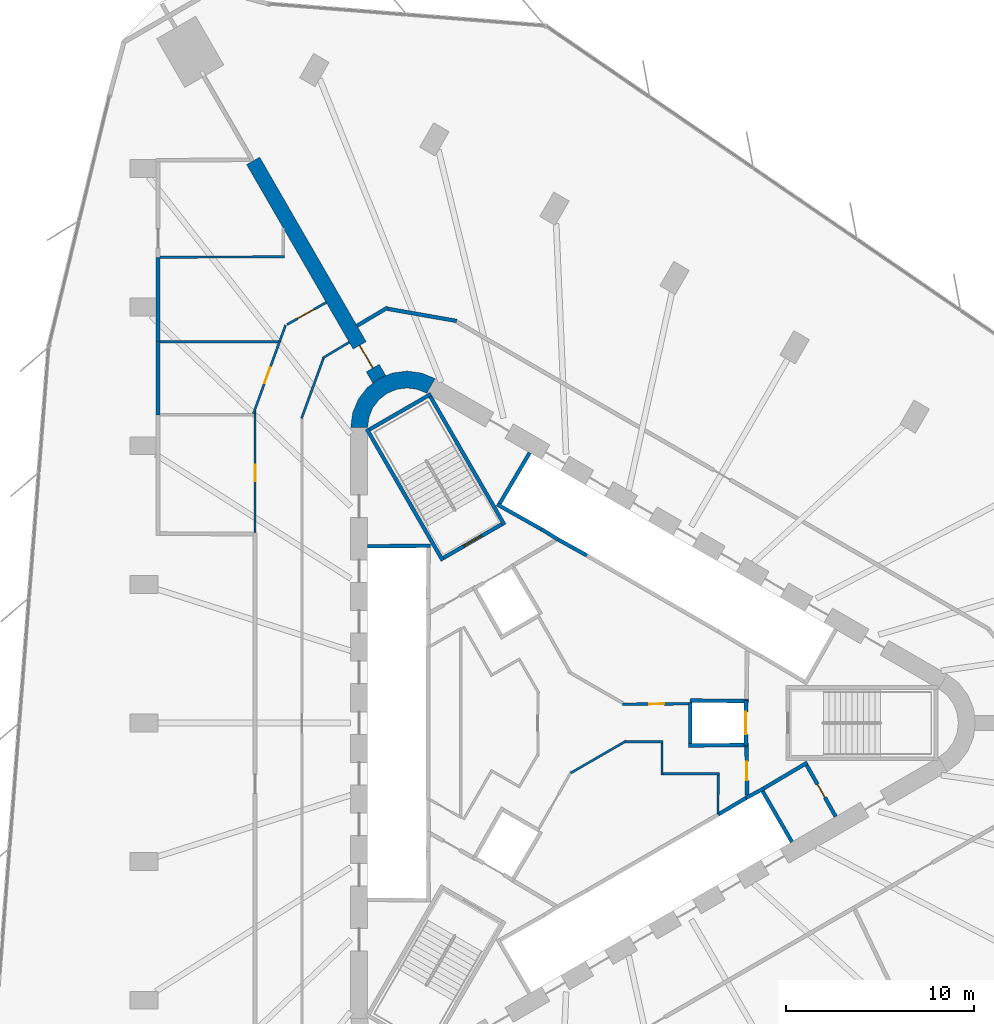
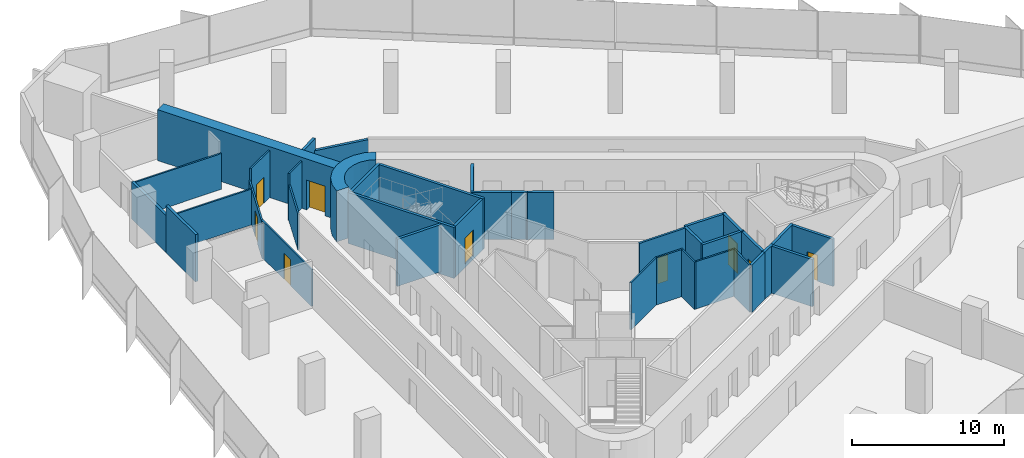
# One storey, part 11 of 14: 39 walls, 9 doors, 9 openings.
"""IFC4 building model written with IfcOpenShell, lengths in metres."""

from ifc_helpers import new_model, si_unit, direction, frame, frame_2d, origin, place, context, subcontext, project, spatial, polyline, rectangle, outline, extrude, material, layer, layer_set, type_object, element, fill, save


model = new_model("IFC4")

# Units and contexts
model_context = context("Model", 3, precision=1e-05, world=origin(), true_north=direction((0.0, 1.0)))
body_context = subcontext(model_context, "Body", "Model", "MODEL_VIEW")
ifc_project = project(units=[si_unit("LENGTHUNIT", "METRE"), si_unit("AREAUNIT", "SQUARE_METRE"), si_unit("VOLUMEUNIT", "CUBIC_METRE"), si_unit("PLANEANGLEUNIT", "RADIAN"), si_unit("MASSUNIT", "GRAM", prefix="KILO")], contexts=[model_context])

# Site, building, storey
site_placement = place(None, origin())
site = spatial("IfcSite", under=ifc_project, at=site_placement, CompositionType="ELEMENT")
building_placement = place(site_placement, origin())
building = spatial("IfcBuilding", under=site, at=building_placement, Name="Tanit Gate Tower", CompositionType="ELEMENT")
storey_placement = place(building_placement, frame((0.0, 0.0, 82.39990234375)))
storey = spatial("IfcBuildingStorey", under=building, at=storey_placement, Name="L16", CompositionType="ELEMENT", Elevation=82.39990234375)

# Wall, opening, door
ifc_material_1 = material(Name="Concrete C60/75", Category="concrete")
ifc_layer_1 = layer(ifc_material_1, 0.800048828125)
ifc_layer_set_1 = layer_set([ifc_layer_1], Name="BUTTRESS FIN 800 C60/75")
wall_type_1 = type_object("IfcWallType", Name="BUTTRESS FIN 800 C60/75", PredefinedType="SHEAR", material=ifc_layer_set_1)
wall_1_placement = place(storey_placement, frame((-10.574951171875, 18.31640625, 0.0), z_axis=(0.0, 0.0, 1.0), x_axis=(-0.499995223427, 0.866028161523, 0.0)))
wall_1 = element("IfcWall", 1, at=wall_1_placement, inside=storey, type_object=wall_type_1, Name="BUTTRESS FIN", PredefinedType="SHEAR", context=body_context, shape_type="SweptSolid", body=[
    extrude(rectangle(XDim=13.455322265625, YDim=0.800048828125, at=frame_2d((6.7275390625, 0.0))), origin(), (0.0, 0.0, 1.0), 4.10009765625),
])
opening_1_placement = place(wall_1_placement, frame((0.699951171875, 0.0, 0.0)))
opening_1 = element("IfcOpeningElement", 2, at=opening_1_placement, cuts=wall_1, Name="Opening P14-S03-F-NW-1", PredefinedType="OPENING", context=body_context, shape_type="SweptSolid", body=[
    extrude(rectangle(XDim=1.39990234375, YDim=2.39990234375, at=frame_2d((0.699951171875, 1.199951171875))), frame((0.0, 0.41015625, 0.0), z_axis=(0.0, -1.0, 0.0), x_axis=(1.0, 0.0, 0.0)), (0.0, 0.0, 1.0), 0.820068359375),
])
ifc_material_2 = material(Name="Timber door leaf", Category="wood")
door_type_1 = type_object("IfcDoorType", Name="INT-DOOR-FIN-PAIR-1400", OperationType="NOTDEFINED", PredefinedType="NOTDEFINED", material=ifc_material_2)
door_1_placement = place(opening_1_placement, origin())
door_1 = element("IfcDoor", 3, at=door_1_placement, inside=storey, type_object=door_type_1, Name="Door P14-S03-F-NW-1", OperationType="DOUBLE_DOOR_SINGLE_SWING", OverallHeight=2.39990234375, OverallWidth=1.39990234375, PredefinedType="NOTDEFINED", context=body_context, shape_type="SweptSolid", body=[
    extrude(rectangle(XDim=1.39990234375, YDim=2.39990234375, at=frame_2d((0.699951171875, 1.199951171875))), frame((0.0, 0.02490234375, 0.0), z_axis=(0.0, -1.0, 0.0), x_axis=(1.0, 0.0, 0.0)), (0.0, 0.0, 1.0), 0.050048828125),
])
fill(opening_1, door_1)

# Walls
ifc_material_3 = material(Name="Concrete C60/75", Category="concrete")
ifc_layer_2 = layer(ifc_material_3, 0.89990234375)
ifc_layer_set_2 = layer_set([ifc_layer_2], Name="CORE WALL 900 C60/75")
wall_type_2 = type_object("IfcWallType", Name="CORE WALL 900 C60/75", PredefinedType="SHEAR", material=ifc_layer_set_2)
wall_2_placement = place(storey_placement, origin())
element("IfcWall", 4, at=wall_2_placement, inside=storey, type_object=wall_type_2, Name="CORE WALL CORNER", PredefinedType="SHEAR", context=body_context, shape_type="SweptSolid", body=[
    extrude(outline(polyline([(-7.60009765625, 18.359619140625), (-8.323486328125, 18.659423828125), (-9.10009765625, 18.76171875), (-9.87646484375, 18.659423828125), (-10.60009765625, 18.359619140625), (-11.22119140625, 17.883056640625), (-11.697998046875, 17.26171875), (-11.997802734375, 16.5380859375), (-12.10009765625, 15.76171875), (-11.199951171875, 15.76171875), (-11.12841796875, 16.30517578125), (-10.918701171875, 16.811767578125), (-10.5849609375, 17.24658203125), (-10.14990234375, 17.580322265625), (-9.6435546875, 17.7900390625), (-9.10009765625, 17.86181640625), (-8.556396484375, 17.7900390625), (-8.050048828125, 17.580322265625), (-7.60009765625, 18.359619140625)])), origin(), (0.0, 0.0, 1.0), 4.10009765625),
])
ifc_material_4 = material(Name="Fire-rated gypsum board partition")
ifc_layer_3 = layer(ifc_material_4, 0.199951171875)
ifc_layer_set_3 = layer_set([ifc_layer_3], Name="INT-WALL-COMPARTMENT")
wall_type_3 = type_object("IfcWallType", Name="INT-WALL-COMPARTMENT", PredefinedType="PARTITIONING", material=ifc_layer_set_3)
wall_3_placement = place(storey_placement, frame((12.244873046875, -2.10888671875, 0.0), z_axis=(0.0, 0.0, 1.0), x_axis=(-0.860414880418, -0.509594185166, 0.0)))
element("IfcWall", 5, at=wall_3_placement, inside=storey, type_object=wall_type_3, Name="Wall Compartment W057", PredefinedType="PARTITIONING", context=body_context, shape_type="SweptSolid", body=[
    extrude(rectangle(XDim=2.7001953125, YDim=0.199951171875, at=frame_2d((1.35009765625, 0.0))), origin(), (0.0, 0.0, 1.0), 3.800048828125),
])

# Wall, opening, door
wall_4_placement = place(storey_placement, frame((13.758056640625, -4.989501953125, 0.0), z_axis=(0.0, 0.0, 1.0), x_axis=(-0.491993409184, 0.87059892334, 0.0)))
wall_4 = element("IfcWall", 6, at=wall_4_placement, inside=storey, type_object=wall_type_3, Name="Wall Compartment W058", PredefinedType="PARTITIONING", context=body_context, shape_type="SweptSolid", body=[
    extrude(rectangle(XDim=3.150146484375, YDim=0.199951171875, at=frame_2d((1.5751953125, 0.0))), origin(), (0.0, 0.0, 1.0), 3.800048828125),
])
opening_2_placement = place(wall_4_placement, frame((1.175048828125, 0.0, 0.0)))
opening_2 = element("IfcOpeningElement", 7, at=opening_2_placement, cuts=wall_4, Name="Opening R08-S03-14", PredefinedType="OPENING", context=body_context, shape_type="SweptSolid", body=[
    extrude(rectangle(XDim=0.800048828125, YDim=2.10009765625, at=frame_2d((0.39990234375, 1.050048828125))), frame((0.0, 0.10986328125, 0.0), z_axis=(0.0, -1.0, 0.0), x_axis=(1.0, 0.0, 0.0)), (0.0, 0.0, 1.0), 0.219970703125),
])
ifc_material_5 = material(Name="Timber door leaf", Category="wood")
door_type_2 = type_object("IfcDoorType", Name="INT-DOOR-RISER-800", OperationType="NOTDEFINED", PredefinedType="USERDEFINED", material=ifc_material_5)
door_2_placement = place(opening_2_placement, origin())
door_2 = element("IfcDoor", 8, at=door_2_placement, inside=storey, type_object=door_type_2, Name="Door R08-S03-14", ObjectType="FIRE DOOR", OperationType="SINGLE_SWING_RIGHT", OverallHeight=2.10009765625, OverallWidth=0.800048828125, PredefinedType="USERDEFINED", context=body_context, shape_type="SweptSolid", body=[
    extrude(rectangle(XDim=0.800048828125, YDim=2.10009765625, at=frame_2d((0.39990234375, 1.050048828125))), frame((0.0, 0.02490234375, 0.0), z_axis=(0.0, -1.0, 0.0), x_axis=(1.0, 0.0, 0.0)), (0.0, 0.0, 1.0), 0.050048828125),
])
fill(opening_2, door_2)

wall_5_placement = place(storey_placement, frame((9.02880859375, -3.850830078125, 0.0), z_axis=(0.0, 0.0, 1.0), x_axis=(-0.010783593937, 0.99994185536, 0.0)))
wall_5 = element("IfcWall", 9, at=wall_5_placement, inside=storey, type_object=wall_type_3, Name="Wall Compartment W060", PredefinedType="PARTITIONING", context=body_context, shape_type="SweptSolid", body=[
    extrude(rectangle(XDim=2.5810546875, YDim=0.199951171875, at=frame_2d((1.29052734375, 0.0))), origin(), (0.0, 0.0, 1.0), 3.800048828125),
])
opening_3_placement = place(wall_5_placement, frame((0.79052734375, 0.0, 0.0)))
opening_3 = element("IfcOpeningElement", 10, at=opening_3_placement, cuts=wall_5, Name="Opening F10-S03-02", PredefinedType="OPENING", context=body_context, shape_type="SweptSolid", body=[
    extrude(rectangle(XDim=1.0, YDim=2.10009765625, at=frame_2d((0.5, 1.050048828125))), frame((0.0, 0.10986328125, 0.0), z_axis=(0.0, -1.0, 0.0), x_axis=(1.0, 0.0, 0.0)), (0.0, 0.0, 1.0), 0.219970703125),
])
ifc_material_6 = material(Name="Fire-rated steel door leaf", Category="steel")
door_type_3 = type_object("IfcDoorType", Name="INT-DOOR-FIRE-1000", OperationType="NOTDEFINED", PredefinedType="USERDEFINED", material=ifc_material_6)
door_3_placement = place(opening_3_placement, origin())
door_3 = element("IfcDoor", 11, at=door_3_placement, inside=storey, type_object=door_type_3, Name="Door F10-S03-02", ObjectType="FIRE DOOR", OperationType="SINGLE_SWING_LEFT", OverallHeight=2.10009765625, OverallWidth=1.0, PredefinedType="USERDEFINED", context=body_context, shape_type="SweptSolid", body=[
    extrude(rectangle(XDim=1.0, YDim=2.10009765625, at=frame_2d((0.5, 1.050048828125))), frame((0.0, 0.02490234375, 0.0), z_axis=(0.0, -1.0, 0.0), x_axis=(1.0, 0.0, 0.0)), (0.0, 0.0, 1.0), 0.050048828125),
])
fill(opening_3, door_3)

# Walls
wall_6_placement = place(storey_placement, frame((-10.11767578125, 22.157470703125, 0.0), z_axis=(0.0, 0.0, 1.0), x_axis=(-0.859118225537, -0.511777172752, 0.0)))
element("IfcWall", 12, at=wall_6_placement, inside=storey, type_object=wall_type_3, Name="Wall Compartment W096", PredefinedType="PARTITIONING", context=body_context, shape_type="SweptSolid", body=[
    extrude(rectangle(XDim=1.916748046875, YDim=0.199951171875, at=frame_2d((0.95849609375, 0.0))), origin(), (0.0, 0.0, 1.0), 3.800048828125),
])
wall_7_placement = place(storey_placement, frame((-6.458984375, 21.435546875, 0.0), z_axis=(0.0, 0.0, 1.0), x_axis=(-0.984812903812, 0.173618963498, 0.0)))
element("IfcWall", 13, at=wall_7_placement, inside=storey, type_object=wall_type_3, Name="Wall Compartment W097", PredefinedType="PARTITIONING", context=body_context, shape_type="SweptSolid", body=[
    extrude(rectangle(XDim=3.76708984375, YDim=0.199951171875, at=frame_2d((1.883544921875, 0.0))), origin(), (0.0, 0.0, 1.0), 2.880126953125),
])
wall_8_placement = place(storey_placement, frame((-22.3701171875, 16.431396484375, 0.0), z_axis=(0.0, 0.0, 1.0), x_axis=(0.0, 1.0, 0.0)))
element("IfcWall", 14, at=wall_8_placement, inside=storey, type_object=wall_type_3, Name="Wall Compartment W113", PredefinedType="PARTITIONING", context=body_context, shape_type="SweptSolid", body=[
    extrude(rectangle(XDim=3.89794921875, YDim=0.199951171875, at=frame_2d((1.948974609375, 0.0))), origin(), (0.0, 0.0, 1.0), 3.800048828125),
])
wall_9_placement = place(storey_placement, frame((-22.3701171875, 20.329345703125, 0.0), z_axis=(0.0, 0.0, 1.0), x_axis=(0.0, 1.0, 0.0)))
element("IfcWall", 15, at=wall_9_placement, inside=storey, type_object=wall_type_3, Name="Wall Compartment W114", PredefinedType="PARTITIONING", context=body_context, shape_type="SweptSolid", body=[
    extrude(rectangle(XDim=4.499755859375, YDim=0.199951171875, at=frame_2d((2.25, 0.0))), origin(), (0.0, 0.0, 1.0), 2.97998046875),
])
ifc_material_7 = material(Name="Gypsum board partition")
ifc_layer_4 = layer(ifc_material_7, 0.1201171875)
ifc_layer_set_4 = layer_set([ifc_layer_4], Name="INT-WALL-PARTITION")
wall_type_4 = type_object("IfcWallType", Name="INT-WALL-PARTITION", PredefinedType="PARTITIONING", material=ifc_layer_set_4)
wall_10_placement = place(storey_placement, frame((2.6015625, -0.947998046875, 0.0), z_axis=(0.0, 0.0, 1.0), x_axis=(-0.866025804792, -0.499999305434, 0.0)))
element("IfcWall", 16, at=wall_10_placement, inside=storey, type_object=wall_type_4, Name="Wall Partition W069", PredefinedType="PARTITIONING", context=body_context, shape_type="SweptSolid", body=[
    extrude(rectangle(XDim=3.43505859375, YDim=0.1201171875, at=frame_2d((1.717529296875, 0.0))), origin(), (0.0, 0.0, 1.0), 3.800048828125),
])
wall_11_placement = place(storey_placement, frame((4.56005859375, -1.0, 0.0), z_axis=(0.0, 0.0, 1.0), x_axis=(-1.0, 0.0, 0.0)))
element("IfcWall", 17, at=wall_11_placement, inside=storey, type_object=wall_type_4, Name="Wall Partition W070", PredefinedType="PARTITIONING", context=body_context, shape_type="SweptSolid", body=[
    extrude(rectangle(XDim=2.030029296875, YDim=0.1201171875, at=frame_2d((1.01513671875, 0.0))), origin(), (0.0, 0.0, 1.0), 3.800048828125),
])
wall_12_placement = place(storey_placement, frame((4.5, -2.760009765625, 0.0), z_axis=(0.0, 0.0, 1.0), x_axis=(0.0, 1.0, 0.0)))
element("IfcWall", 18, at=wall_12_placement, inside=storey, type_object=wall_type_4, Name="Wall Partition W071", PredefinedType="PARTITIONING", context=body_context, shape_type="SweptSolid", body=[
    extrude(rectangle(XDim=1.699951171875, YDim=0.1201171875, at=frame_2d((0.85009765625, 0.0))), origin(), (0.0, 0.0, 1.0), 3.800048828125),
])
wall_13_placement = place(storey_placement, frame((7.56005859375, -2.699951171875, 0.0), z_axis=(0.0, 0.0, 1.0), x_axis=(-1.0, 0.0, 0.0)))
element("IfcWall", 19, at=wall_13_placement, inside=storey, type_object=wall_type_4, Name="Wall Partition W072", PredefinedType="PARTITIONING", context=body_context, shape_type="SweptSolid", body=[
    extrude(rectangle(XDim=3.0, YDim=0.1201171875, at=frame_2d((1.5, 0.0))), origin(), (0.0, 0.0, 1.0), 3.800048828125),
])
wall_14_placement = place(storey_placement, frame((7.474609375, -4.864501953125, 0.0), z_axis=(0.0, 0.0, 1.0), x_axis=(0.011716133148, 0.999931363757, 0.0)))
element("IfcWall", 20, at=wall_14_placement, inside=storey, type_object=wall_type_4, Name="Wall Partition W073", PredefinedType="PARTITIONING", context=body_context, shape_type="SweptSolid", body=[
    extrude(rectangle(XDim=2.104736328125, YDim=0.1201171875, at=frame_2d((1.05224609375, 0.0))), origin(), (0.0, 0.0, 1.0), 3.800048828125),
])
wall_15_placement = place(storey_placement, frame((-12.181396484375, 20.299072265625, 0.0), z_axis=(0.0, 0.0, 1.0), x_axis=(-0.8583241935, -0.51310776534, 0.0)))
element("IfcWall", 21, at=wall_15_placement, inside=storey, type_object=wall_type_4, Name="Wall Partition W084", PredefinedType="PARTITIONING", context=body_context, shape_type="SweptSolid", body=[
    extrude(rectangle(XDim=1.65625, YDim=0.1201171875, at=frame_2d((0.828125, 0.0))), origin(), (0.0, 0.0, 1.0), 3.800048828125),
])
wall_16_placement = place(storey_placement, frame((-13.54931640625, 19.461181640625, 0.0), z_axis=(0.0, 0.0, 1.0), x_axis=(-0.341989191955, -0.939703885586, 0.0)))
element("IfcWall", 22, at=wall_16_placement, inside=storey, type_object=wall_type_4, Name="Wall Partition W085", PredefinedType="PARTITIONING", context=body_context, shape_type="SweptSolid", body=[
    extrude(rectangle(XDim=3.424560546875, YDim=0.1201171875, at=frame_2d((1.71240234375, 0.0))), origin(), (0.0, 0.0, 1.0), 2.880126953125),
])

# Wall, opening, door
wall_17_placement = place(storey_placement, frame((-17.199951171875, 16.740234375, 0.0), z_axis=(0.0, 0.0, 1.0), x_axis=(0.0, -1.0, 0.0)))
wall_17 = element("IfcWall", 23, at=wall_17_placement, inside=storey, type_object=wall_type_4, Name="Wall Partition W092", PredefinedType="PARTITIONING", context=body_context, shape_type="SweptSolid", body=[
    extrude(rectangle(XDim=6.5703125, YDim=0.1201171875, at=frame_2d((3.28515625, 0.0))), origin(), (0.0, 0.0, 1.0), 2.97998046875),
])
opening_4_placement = place(wall_17_placement, frame((2.959716796875, 0.0, 0.0)))
opening_4 = element("IfcOpeningElement", 24, at=opening_4_placement, cuts=wall_17, Name="Opening D09-S03-16", PredefinedType="OPENING", context=body_context, shape_type="SweptSolid", body=[
    extrude(rectangle(XDim=0.89990234375, YDim=2.10009765625, at=frame_2d((0.449951171875, 1.050048828125))), frame((0.0, 0.070068359375, 0.0), z_axis=(0.0, -1.0, 0.0), x_axis=(1.0, 0.0, 0.0)), (0.0, 0.0, 1.0), 0.14013671875),
])
ifc_material_8 = material(Name="Timber door leaf", Category="wood")
door_type_4 = type_object("IfcDoorType", Name="INT-DOOR-SINGLE-900", OperationType="NOTDEFINED", PredefinedType="NOTDEFINED", material=ifc_material_8)
door_4_placement = place(opening_4_placement, origin())
door_4 = element("IfcDoor", 25, at=door_4_placement, inside=storey, type_object=door_type_4, Name="Door D09-S03-16", OperationType="SINGLE_SWING_RIGHT", OverallHeight=2.10009765625, OverallWidth=0.89990234375, PredefinedType="NOTDEFINED", context=body_context, shape_type="SweptSolid", body=[
    extrude(rectangle(XDim=0.89990234375, YDim=2.10009765625, at=frame_2d((0.449951171875, 1.050048828125))), frame((0.0, 0.02490234375, 0.0), z_axis=(0.0, -1.0, 0.0), x_axis=(1.0, 0.0, 0.0)), (0.0, 0.0, 1.0), 0.050048828125),
])
fill(opening_4, door_4)

# Wall
wall_18_placement = place(storey_placement, frame((-15.5703125, 21.218017578125, 0.0), z_axis=(0.0, 0.0, 1.0), x_axis=(-0.342015355476, -0.939694363407, 0.0)))
element("IfcWall", 26, at=wall_18_placement, inside=storey, type_object=wall_type_4, Name="Wall Partition W094", PredefinedType="PARTITIONING", context=body_context, shape_type="SweptSolid", body=[
    extrude(rectangle(XDim=0.935791015625, YDim=0.1201171875, at=frame_2d((0.4677734375, 0.0))), origin(), (0.0, 0.0, 1.0), 2.880126953125),
])

# Wall, opening, door
wall_19_placement = place(storey_placement, frame((-15.890380859375, 20.338623046875, 0.0), z_axis=(0.0, 0.0, 1.0), x_axis=(-0.341977654868, -0.939708084232, 0.0)))
wall_19 = element("IfcWall", 27, at=wall_19_placement, inside=storey, type_object=wall_type_4, Name="Wall Partition W093", PredefinedType="PARTITIONING", context=body_context, shape_type="SweptSolid", body=[
    extrude(rectangle(XDim=4.09423828125, YDim=0.1201171875, at=frame_2d((2.047119140625, 0.0))), origin(), (0.0, 0.0, 1.0), 2.880126953125),
])
opening_5_placement = place(wall_19_placement, frame((1.464599609375, 0.0, 0.0)))
opening_5 = element("IfcOpeningElement", 28, at=opening_5_placement, cuts=wall_19, Name="Opening D09-S03-17", PredefinedType="OPENING", context=body_context, shape_type="SweptSolid", body=[
    extrude(rectangle(XDim=0.89990234375, YDim=2.10009765625, at=frame_2d((0.449951171875, 1.050048828125))), frame((0.0, 0.070068359375, 0.0), z_axis=(0.0, -1.0, 0.0), x_axis=(1.0, 0.0, 0.0)), (0.0, 0.0, 1.0), 0.14013671875),
])
door_5_placement = place(opening_5_placement, origin())
door_5 = element("IfcDoor", 29, at=door_5_placement, inside=storey, type_object=door_type_4, Name="Door D09-S03-17", OperationType="SINGLE_SWING_LEFT", OverallHeight=2.10009765625, OverallWidth=0.89990234375, PredefinedType="NOTDEFINED", context=body_context, shape_type="SweptSolid", body=[
    extrude(rectangle(XDim=0.89990234375, YDim=2.10009765625, at=frame_2d((0.449951171875, 1.050048828125))), frame((0.0, 0.02490234375, 0.0), z_axis=(0.0, -1.0, 0.0), x_axis=(1.0, 0.0, 0.0)), (0.0, 0.0, 1.0), 0.050048828125),
])
fill(opening_5, door_5)

wall_20_placement = place(storey_placement, frame((-13.406494140625, 22.4208984375, 0.0), z_axis=(0.0, 0.0, 1.0), x_axis=(-0.87117593963, -0.490970958622, 0.0)))
wall_20 = element("IfcWall", 30, at=wall_20_placement, inside=storey, type_object=wall_type_4, Name="Wall Partition W095", PredefinedType="PARTITIONING", context=body_context, shape_type="SweptSolid", body=[
    extrude(rectangle(XDim=2.400390625, YDim=0.1201171875, at=frame_2d((1.2001953125, 0.0))), origin(), (0.0, 0.0, 1.0), 3.800048828125),
])
opening_6_placement = place(wall_20_placement, frame((0.75, 0.0, 0.0)))
opening_6 = element("IfcOpeningElement", 31, at=opening_6_placement, cuts=wall_20, Name="Opening D10-S03-18", PredefinedType="OPENING", context=body_context, shape_type="SweptSolid", body=[
    extrude(rectangle(XDim=1.0, YDim=2.10009765625, at=frame_2d((0.5, 1.050048828125))), frame((0.0, 0.070068359375, 0.0), z_axis=(0.0, -1.0, 0.0), x_axis=(1.0, 0.0, 0.0)), (0.0, 0.0, 1.0), 0.14013671875),
])
ifc_material_9 = material(Name="Timber door leaf", Category="wood")
door_type_5 = type_object("IfcDoorType", Name="INT-DOOR-SINGLE-1000", OperationType="NOTDEFINED", PredefinedType="NOTDEFINED", material=ifc_material_9)
door_6_placement = place(opening_6_placement, origin())
door_6 = element("IfcDoor", 32, at=door_6_placement, inside=storey, type_object=door_type_5, Name="Door D10-S03-18", OperationType="SINGLE_SWING_LEFT", OverallHeight=2.10009765625, OverallWidth=1.0, PredefinedType="NOTDEFINED", context=body_context, shape_type="SweptSolid", body=[
    extrude(rectangle(XDim=1.0, YDim=2.10009765625, at=frame_2d((0.5, 1.050048828125))), frame((0.0, 0.02490234375, 0.0), z_axis=(0.0, -1.0, 0.0), x_axis=(1.0, 0.0, 0.0)), (0.0, 0.0, 1.0), 0.050048828125),
])
fill(opening_6, door_6)

# Walls
wall_21_placement = place(storey_placement, frame((-22.27001953125, 20.329345703125, 0.0), z_axis=(0.0, 0.0, 1.0), x_axis=(1.0, 0.0, 0.0)))
element("IfcWall", 33, at=wall_21_placement, inside=storey, type_object=wall_type_4, Name="Wall Partition W121", PredefinedType="PARTITIONING", context=body_context, shape_type="SweptSolid", body=[
    extrude(rectangle(XDim=6.3125, YDim=0.1201171875, at=frame_2d((3.15625, 0.0))), origin(), (0.0, 0.0, 1.0), 2.880126953125),
])
wall_22_placement = place(storey_placement, frame((-15.639892578125, 24.859375, 0.0), z_axis=(0.0, 0.0, 1.0), x_axis=(-0.999989909342, -0.004492350736, 0.0)))
element("IfcWall", 34, at=wall_22_placement, inside=storey, type_object=wall_type_4, Name="Wall Partition W122", PredefinedType="PARTITIONING", context=body_context, shape_type="SweptSolid", body=[
    extrude(rectangle(XDim=6.630126953125, YDim=0.1201171875, at=frame_2d((3.31494140625, 0.0))), origin(), (0.0, 0.0, 1.0), 2.880126953125),
])

# Wall, opening, door
ifc_material_10 = material(Name="Fire-rated gypsum board partition")
ifc_layer_5 = layer(ifc_material_10, 0.14990234375)
ifc_layer_set_5 = layer_set([ifc_layer_5], Name="INT-WALL-RISER")
wall_type_5 = type_object("IfcWallType", Name="INT-WALL-RISER", PredefinedType="PLUMBINGWALL", material=ifc_layer_set_5)
wall_23_placement = place(storey_placement, frame((2.384033203125, 0.9990234375, 0.0), z_axis=(0.0, 0.0, 1.0), x_axis=(0.999964703434, 0.008401897723, 0.0)))
wall_23 = element("IfcWall", 35, at=wall_23_placement, inside=storey, type_object=wall_type_5, Name="Wall Riser W065", PredefinedType="PLUMBINGWALL", context=body_context, shape_type="SweptSolid", body=[
    extrude(rectangle(XDim=3.51611328125, YDim=0.14990234375, at=frame_2d((1.758056640625, 0.0))), origin(), (0.0, 0.0, 1.0), 3.800048828125),
])
opening_7_placement = place(wall_23_placement, frame((1.421630859375, 0.0, 0.0)))
opening_7 = element("IfcOpeningElement", 36, at=opening_7_placement, cuts=wall_23, Name="Opening R08-S03-10", PredefinedType="OPENING", context=body_context, shape_type="SweptSolid", body=[
    extrude(rectangle(XDim=0.800048828125, YDim=2.10009765625, at=frame_2d((0.39990234375, 1.050048828125))), frame((0.0, 0.0849609375, 0.0), z_axis=(0.0, -1.0, 0.0), x_axis=(1.0, 0.0, 0.0)), (0.0, 0.0, 1.0), 0.169921875),
])
door_7_placement = place(opening_7_placement, origin())
door_7 = element("IfcDoor", 37, at=door_7_placement, inside=storey, type_object=door_type_2, Name="Door R08-S03-10", ObjectType="FIRE DOOR", OperationType="SINGLE_SWING_RIGHT", OverallHeight=2.10009765625, OverallWidth=0.800048828125, PredefinedType="USERDEFINED", context=body_context, shape_type="SweptSolid", body=[
    extrude(rectangle(XDim=0.800048828125, YDim=2.10009765625, at=frame_2d((0.39990234375, 1.050048828125))), frame((0.0, 0.02490234375, 0.0), z_axis=(0.0, -1.0, 0.0), x_axis=(1.0, 0.0, 0.0)), (0.0, 0.0, 1.0), 0.050048828125),
])
fill(opening_7, door_7)

# Walls
ifc_material_11 = material(Name="Gypsum shaft wall system")
ifc_layer_6 = layer(ifc_material_11, 0.199951171875)
ifc_layer_set_6 = layer_set([ifc_layer_6], Name="INT-WALL-SHAFT")
wall_type_6 = type_object("IfcWallType", Name="INT-WALL-SHAFT", PredefinedType="PLUMBINGWALL", material=ifc_layer_set_6)
wall_24_placement = place(storey_placement, frame((-11.199951171875, 9.419921875, 0.0), z_axis=(0.0, 0.0, 1.0), x_axis=(0.999957167047, 0.009255488683, 0.0)))
element("IfcWall", 38, at=wall_24_placement, inside=storey, type_object=wall_type_6, Name="Wall Shaft W001", PredefinedType="PLUMBINGWALL", context=body_context, shape_type="SweptSolid", body=[
    extrude(rectangle(XDim=3.35009765625, YDim=0.199951171875, at=frame_2d((1.675048828125, 0.0))), origin(), (0.0, 0.0, 1.0), 3.800048828125),
])
wall_25_placement = place(storey_placement, frame((-1.940673828125, 10.338623046875, 0.0), z_axis=(0.0, 0.0, 1.0), x_axis=(0.850216889117, -0.526432561171, 0.0)))
element("IfcWall", 39, at=wall_25_placement, inside=storey, type_object=wall_type_6, Name="Wall Shaft W019", PredefinedType="PLUMBINGWALL", context=body_context, shape_type="SweptSolid", body=[
    extrude(rectangle(XDim=1.078369140625, YDim=0.199951171875, at=frame_2d((0.5390625, 0.0))), origin(), (0.0, 0.0, 1.0), 3.800048828125),
])
wall_26_placement = place(storey_placement, frame((0.482666015625, 8.935791015625, 0.0), z_axis=(0.0, 0.0, 1.0), x_axis=(-0.874269620932, 0.485440655401, 0.0)))
element("IfcWall", 40, at=wall_26_placement, inside=storey, type_object=wall_type_6, Name="Wall Shaft W020", PredefinedType="PLUMBINGWALL", context=body_context, shape_type="SweptSolid", body=[
    extrude(rectangle(XDim=1.8447265625, YDim=0.199951171875, at=frame_2d((0.92236328125, 0.0))), origin(), (0.0, 0.0, 1.0), 3.800048828125),
])
wall_27_placement = place(storey_placement, frame((-4.296142578125, 11.658935546875, 0.0), z_axis=(0.0, 0.0, 1.0), x_axis=(0.871534483978, -0.490334215854, 0.0)))
element("IfcWall", 41, at=wall_27_placement, inside=storey, type_object=wall_type_6, Name="Wall Shaft W021", PredefinedType="PLUMBINGWALL", context=body_context, shape_type="SweptSolid", body=[
    extrude(rectangle(XDim=2.7001953125, YDim=0.199951171875, at=frame_2d((1.35009765625, 0.0))), origin(), (0.0, 0.0, 1.0), 3.800048828125),
])
wall_28_placement = place(storey_placement, frame((-4.158203125, 11.696044921875, 0.0), z_axis=(0.0, 0.0, 1.0), x_axis=(0.508018930956, 0.861345903683, 0.0)))
element("IfcWall", 42, at=wall_28_placement, inside=storey, type_object=wall_type_6, Name="Wall Shaft W022", PredefinedType="PLUMBINGWALL", context=body_context, shape_type="SweptSolid", body=[
    extrude(rectangle(XDim=3.150146484375, YDim=0.199951171875, at=frame_2d((1.5751953125, 0.0))), origin(), (0.0, 0.0, 1.0), 3.800048828125),
])
wall_29_placement = place(storey_placement, frame((9.794677734375, -3.52490234375, 0.0), z_axis=(0.0, 0.0, 1.0), x_axis=(0.499984717929, -0.866034226713, 0.0)))
element("IfcWall", 43, at=wall_29_placement, inside=storey, type_object=wall_type_6, Name="Wall Shaft W024", PredefinedType="PLUMBINGWALL", context=body_context, shape_type="SweptSolid", body=[
    extrude(rectangle(XDim=3.25, YDim=0.199951171875, at=frame_2d((1.625, 0.0))), origin(), (0.0, 0.0, 1.0), 3.800048828125),
])
wall_30_placement = place(storey_placement, frame((8.97412109375, -3.998779296875, 0.0), z_axis=(0.0, 0.0, 1.0), x_axis=(0.880907015104, 0.473289373154, 0.0)))
element("IfcWall", 44, at=wall_30_placement, inside=storey, type_object=wall_type_6, Name="Wall Shaft W025", PredefinedType="PLUMBINGWALL", context=body_context, shape_type="SweptSolid", body=[
    extrude(rectangle(XDim=1.078125, YDim=0.199951171875, at=frame_2d((0.5390625, 0.0))), origin(), (0.0, 0.0, 1.0), 3.800048828125),
])
wall_31_placement = place(storey_placement, frame((7.4931640625, -4.87841796875, 0.0), z_axis=(0.0, 0.0, 1.0), x_axis=(0.859981807212, 0.510324691999, 0.0)))
element("IfcWall", 45, at=wall_31_placement, inside=storey, type_object=wall_type_6, Name="Wall Shaft W026", PredefinedType="PLUMBINGWALL", context=body_context, shape_type="SweptSolid", body=[
    extrude(rectangle(XDim=1.8447265625, YDim=0.199951171875, at=frame_2d((0.92236328125, 0.0))), origin(), (0.0, 0.0, 1.0), 3.800048828125),
])

# Wall, opening, door
wall_32_placement = place(storey_placement, frame((8.969970703125, 1.199951171875, 0.0), z_axis=(0.0, 0.0, 1.0), x_axis=(0.0, -1.0, 0.0)))
wall_32 = element("IfcWall", 46, at=wall_32_placement, inside=storey, type_object=wall_type_6, Name="Wall Shaft W037", PredefinedType="PLUMBINGWALL", context=body_context, shape_type="SweptSolid", body=[
    extrude(rectangle(XDim=2.39990234375, YDim=0.199951171875, at=frame_2d((1.199951171875, 0.0))), origin(), (0.0, 0.0, 1.0), 3.800048828125),
])
opening_8_placement = place(wall_32_placement, frame((0.60009765625, 0.0, 0.0)))
opening_8 = element("IfcOpeningElement", 47, at=opening_8_placement, cuts=wall_32, Name="Opening LDFL1-L16", PredefinedType="OPENING", context=body_context, shape_type="SweptSolid", body=[
    extrude(rectangle(XDim=1.199951171875, YDim=2.39990234375, at=frame_2d((0.60009765625, 1.199951171875))), frame((0.0, 0.10986328125, 0.0), z_axis=(0.0, -1.0, 0.0), x_axis=(1.0, 0.0, 0.0)), (0.0, 0.0, 1.0), 0.219970703125),
])
ifc_material_12 = material(Name="Stainless steel sliding door leaf", Category="steel")
door_type_6 = type_object("IfcDoorType", Name="INT-DOOR-LANDING-1200", OperationType="NOTDEFINED", PredefinedType="USERDEFINED", material=ifc_material_12)
door_8_placement = place(opening_8_placement, origin())
door_8 = element("IfcDoor", 48, at=door_8_placement, inside=storey, type_object=door_type_6, Name="Door LDFL1-L16", ObjectType="LANDING DOOR", OperationType="SLIDING_TO_LEFT", OverallHeight=2.39990234375, OverallWidth=1.199951171875, PredefinedType="USERDEFINED", context=body_context, shape_type="SweptSolid", body=[
    extrude(rectangle(XDim=1.199951171875, YDim=2.39990234375, at=frame_2d((0.60009765625, 1.199951171875))), frame((0.0, 0.02490234375, 0.0), z_axis=(0.0, -1.0, 0.0), x_axis=(1.0, 0.0, 0.0)), (0.0, 0.0, 1.0), 0.050048828125),
])
fill(opening_8, door_8)

# Walls
wall_33_placement = place(storey_placement, frame((6.0, 1.199951171875, 0.0), z_axis=(0.0, 0.0, 1.0), x_axis=(0.999949988, -0.010001074852, 0.0)))
element("IfcWall", 49, at=wall_33_placement, inside=storey, type_object=wall_type_6, Name="Wall Shaft W038", PredefinedType="PLUMBINGWALL", context=body_context, shape_type="SweptSolid", body=[
    extrude(rectangle(XDim=3.100341796875, YDim=0.199951171875, at=frame_2d((1.55029296875, 0.0))), origin(), (0.0, 0.0, 1.0), 3.800048828125),
])
wall_34_placement = place(storey_placement, frame((5.89990234375, -1.200927734375, 0.0), z_axis=(0.0, 0.0, 1.0), x_axis=(0.999950064753, 0.009993397809, 0.0)))
element("IfcWall", 50, at=wall_34_placement, inside=storey, type_object=wall_type_6, Name="Wall Shaft W039", PredefinedType="PLUMBINGWALL", context=body_context, shape_type="SweptSolid", body=[
    extrude(rectangle(XDim=3.200439453125, YDim=0.199951171875, at=frame_2d((1.60009765625, 0.0))), origin(), (0.0, 0.0, 1.0), 3.800048828125),
])
wall_35_placement = place(storey_placement, frame((6.0, -1.10009765625, 0.0), z_axis=(0.0, 0.0, 1.0), x_axis=(0.0, 1.0, 0.0)))
element("IfcWall", 51, at=wall_35_placement, inside=storey, type_object=wall_type_6, Name="Wall Shaft W040", PredefinedType="PLUMBINGWALL", context=body_context, shape_type="SweptSolid", body=[
    extrude(rectangle(XDim=2.20458984375, YDim=0.199951171875, at=frame_2d((1.102294921875, 0.0))), origin(), (0.0, 0.0, 1.0), 3.800048828125),
])
ifc_material_13 = material(Name="Concrete C40/50", Category="concrete")
ifc_layer_7 = layer(ifc_material_13, 0.199951171875)
ifc_layer_set_7 = layer_set([ifc_layer_7], Name="INT-WALL-STAIR")
wall_type_7 = type_object("IfcWallType", Name="INT-WALL-STAIR", PredefinedType="SHEAR", material=ifc_layer_set_7)
wall_36_placement = place(storey_placement, frame((-11.245361328125, 15.677734375, -0.2998046875), z_axis=(0.0, 0.0, 1.0), x_axis=(0.499977274689, -0.866038523851, 0.0)))
element("IfcWall", 52, at=wall_36_placement, inside=storey, type_object=wall_type_7, Name="Wall Stair W041", PredefinedType="SHEAR", context=body_context, shape_type="SweptSolid", body=[
    extrude(rectangle(XDim=8.10009765625, YDim=0.199951171875, at=frame_2d((4.050048828125, 0.0))), origin(), (0.0, 0.0, 1.0), 4.099853515625),
])
wall_37_placement = place(storey_placement, frame((-7.81787109375, 17.541015625, -0.2998046875), z_axis=(0.0, 0.0, 1.0), x_axis=(-0.866044365799, -0.499967155389, 0.0)))
element("IfcWall", 53, at=wall_37_placement, inside=storey, type_object=wall_type_7, Name="Wall Stair W042", PredefinedType="SHEAR", context=body_context, shape_type="SweptSolid", body=[
    extrude(rectangle(XDim=3.800048828125, YDim=0.199951171875, at=frame_2d((1.89990234375, 0.0))), origin(), (0.0, 0.0, 1.0), 4.099853515625),
])
wall_38_placement = place(storey_placement, frame((-7.8544921875, 17.404541015625, -0.2998046875), z_axis=(0.0, 0.0, 1.0), x_axis=(0.499997992926, -0.866026562566, 0.0)))
element("IfcWall", 54, at=wall_38_placement, inside=storey, type_object=wall_type_7, Name="Wall Stair W043", PredefinedType="SHEAR", context=body_context, shape_type="SweptSolid", body=[
    extrude(rectangle(XDim=7.89990234375, YDim=0.199951171875, at=frame_2d((3.949951171875, 0.0))), origin(), (0.0, 0.0, 1.0), 4.099853515625),
])

# Wall, opening, door
wall_39_placement = place(storey_placement, frame((-7.158935546875, 8.799560546875, -0.2998046875), z_axis=(0.0, 0.0, 1.0), x_axis=(0.866047807691, 0.499961193289, 0.0)))
wall_39 = element("IfcWall", 55, at=wall_39_placement, inside=storey, type_object=wall_type_7, Name="Wall Stair W044", PredefinedType="SHEAR", context=body_context, shape_type="SweptSolid", body=[
    extrude(rectangle(XDim=3.599853515625, YDim=0.199951171875, at=frame_2d((1.7998046875, 0.0))), origin(), (0.0, 0.0, 1.0), 4.099853515625),
])
opening_9_placement = place(wall_39_placement, frame((1.25, 0.0, 0.300048828125)))
opening_9 = element("IfcOpeningElement", 56, at=opening_9_placement, cuts=wall_39, Name="Opening S11-S03-04", PredefinedType="OPENING", context=body_context, shape_type="SweptSolid", body=[
    extrude(rectangle(XDim=1.10009765625, YDim=2.10009765625, at=frame_2d((0.550048828125, 1.050048828125))), frame((0.0, 0.10986328125, 0.0), z_axis=(0.0, -1.0, 0.0), x_axis=(1.0, 0.0, 0.0)), (0.0, 0.0, 1.0), 0.219970703125),
])
ifc_material_14 = material(Name="Timber door leaf", Category="wood")
door_type_7 = type_object("IfcDoorType", Name="INT-DOOR-STAIR-1100", OperationType="NOTDEFINED", PredefinedType="USERDEFINED", material=ifc_material_14)
door_9_placement = place(opening_9_placement, origin())
door_9 = element("IfcDoor", 57, at=door_9_placement, inside=storey, type_object=door_type_7, Name="Door S11-S03-04", ObjectType="FIRE DOOR", OperationType="SINGLE_SWING_RIGHT", OverallHeight=2.10009765625, OverallWidth=1.10009765625, PredefinedType="USERDEFINED", context=body_context, shape_type="SweptSolid", body=[
    extrude(rectangle(XDim=1.10009765625, YDim=2.10009765625, at=frame_2d((0.550048828125, 1.050048828125))), frame((0.0, 0.02490234375, 0.0), z_axis=(0.0, -1.0, 0.0), x_axis=(1.0, 0.0, 0.0)), (0.0, 0.0, 1.0), 0.050048828125),
])
fill(opening_9, door_9)

save(model, "model.ifc")
